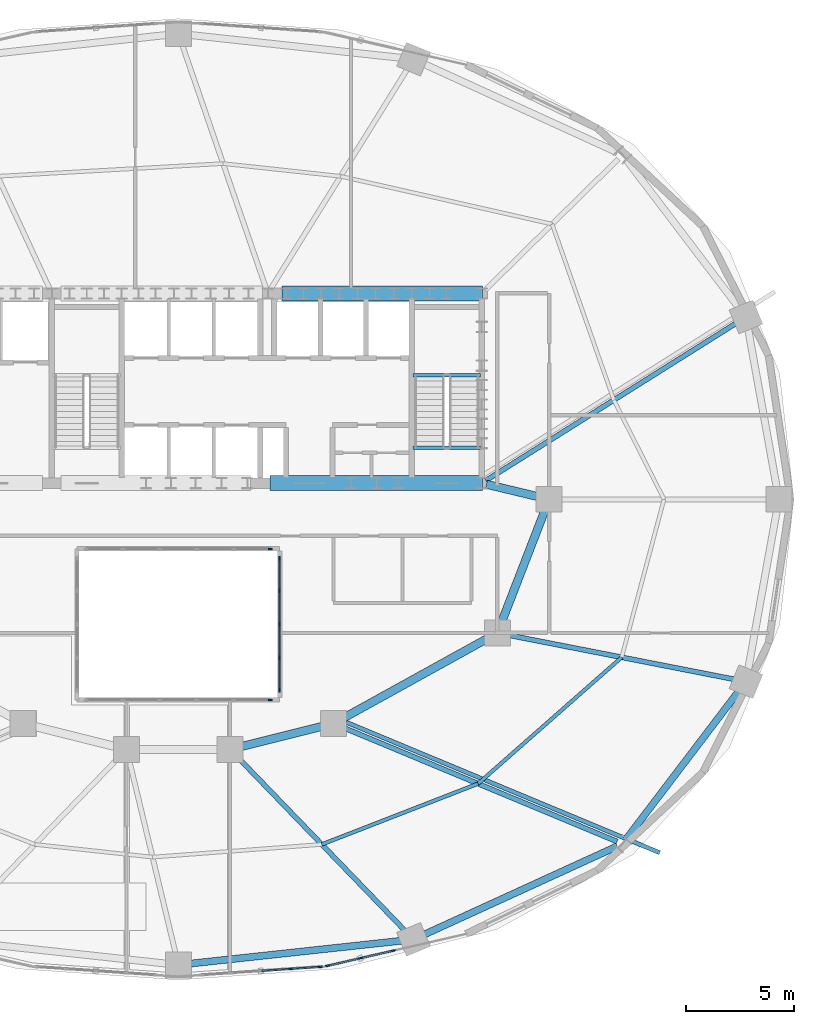
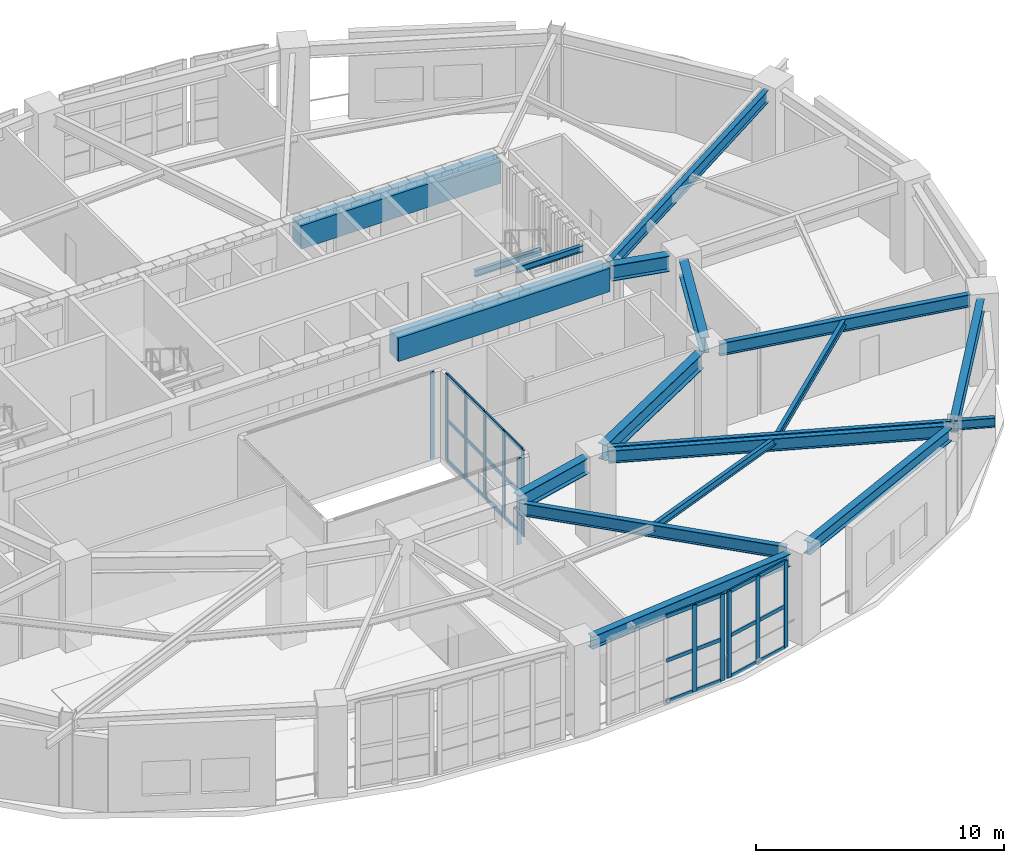
# One storey, part 5 of 15: 36 members, 18 beams, 5 elements without a shape of their own.
"""IFC4 building model written with IfcOpenShell, lengths in metres."""

from ifc_helpers import new_model, si_unit, direction, frame, origin, origin_2d, place, context, subcontext, project, spatial, rectangle, i_section, extrude, material, material_profile, profile_set, type_object, element, aggregate, save


model = new_model("IFC4")

# Units and contexts
model_context = context("Model", 3, precision=1e-05, world=origin(), true_north=direction((0.0, 1.0)))
body_context = subcontext(model_context, "Body", "Model", "MODEL_VIEW")
ifc_project = project(units=[si_unit("LENGTHUNIT", "METRE"), si_unit("AREAUNIT", "SQUARE_METRE"), si_unit("VOLUMEUNIT", "CUBIC_METRE"), si_unit("PLANEANGLEUNIT", "RADIAN"), si_unit("MASSUNIT", "GRAM", prefix="KILO")], contexts=[model_context])

# Site, building, storey
site_placement = place(None, origin())
site = spatial("IfcSite", under=ifc_project, at=site_placement, CompositionType="ELEMENT")
building_placement = place(site_placement, origin())
building = spatial("IfcBuilding", under=site, at=building_placement, Name="Haldorwick Loom Tower", CompositionType="ELEMENT")
storey_placement = place(building_placement, frame((0.0, 0.0, 105.949951171875)))
storey = spatial("IfcBuildingStorey", under=building, at=storey_placement, Name="L28", CompositionType="ELEMENT", Elevation=105.949951171875)

# Curtain wall, member
ifc_material_1 = material(Name="Thermally Broken Anodized Aluminium Curtain Wall Framing", Category="aluminium")
curtain_wall_type_1 = type_object("IfcCurtainWallType", Name="ARC-CW-03", PredefinedType="NOTDEFINED", material=ifc_material_1)
curtain_wall_1_placement = place(storey_placement, origin())
curtain_wall_1 = element("IfcCurtainWall", 1, at=curtain_wall_1_placement, inside=storey, type_object=curtain_wall_type_1, Name="L28 Atrium Glazed Screen S", PredefinedType="NOTDEFINED")
ifc_material_profile_1 = material_profile(ifc_material_1, rectangle(XDim=0.06591796875, YDim=0.18505859375, at=origin_2d()), Name="ALU_MUL_66X185", Category="aluminium")
ifc_profile_set_1 = profile_set([ifc_material_profile_1], Name="Thermally Broken Anodized Aluminium Curtain Wall Framing")
member_type_1 = type_object("IfcMemberType", Name="ARC-CWM-03", PredefinedType="MULLION", material=ifc_profile_set_1)
member_1_placement = place(storey_placement, frame((40.26708984375, 16.699951171875, 0.0), z_axis=(0.0, 0.0, 1.0), x_axis=(0.0, -1.0, 0.0)))
member_1 = element("IfcMember", 2, at=member_1_placement, type_object=member_type_1, Name="CW-03 mullion 1", PredefinedType="MULLION", context=body_context, shape_type="SweptSolid", body=[
    extrude(rectangle(XDim=0.06591796875, YDim=0.18505859375, at=origin_2d()), origin(), (0.0, 0.0, 1.0), 4.260009765625),
])
aggregate(curtain_wall_1, [member_1])

curtain_wall_2_placement = place(storey_placement, origin())
curtain_wall_2 = element("IfcCurtainWall", 3, at=curtain_wall_2_placement, inside=storey, type_object=curtain_wall_type_1, Name="L28 Atrium Glazed Screen N", PredefinedType="NOTDEFINED")
member_2_placement = place(storey_placement, frame((40.26708984375, 23.699951171875, 0.0), z_axis=(0.0, 0.0, 1.0), x_axis=(0.0, 1.0, 0.0)))
member_2 = element("IfcMember", 4, at=member_2_placement, type_object=member_type_1, Name="CW-03 mullion 6", PredefinedType="MULLION", context=body_context, shape_type="SweptSolid", body=[
    extrude(rectangle(XDim=0.06591796875, YDim=0.18505859375, at=origin_2d()), origin(), (0.0, 0.0, 1.0), 4.260009765625),
])
aggregate(curtain_wall_2, [member_2])

# Curtain wall, members
curtain_wall_3_placement = place(storey_placement, origin())
curtain_wall_3 = element("IfcCurtainWall", 5, at=curtain_wall_3_placement, inside=storey, type_object=curtain_wall_type_1, Name="L28 Atrium Glazed Screen E", PredefinedType="NOTDEFINED")
member_3_placement = place(storey_placement, frame((40.699951171875, 23.26708984375, 0.0), z_axis=(0.0, 0.0, 1.0), x_axis=(1.0, 0.0, 0.0)))
member_3 = element("IfcMember", 6, at=member_3_placement, type_object=member_type_1, Name="CW-03 mullion 1", PredefinedType="MULLION", context=body_context, shape_type="SweptSolid", body=[
    extrude(rectangle(XDim=0.06591796875, YDim=0.18505859375, at=origin_2d()), origin(), (0.0, 0.0, 1.0), 4.260009765625),
])
member_4_placement = place(storey_placement, frame((40.699951171875, 21.75, 0.0), z_axis=(0.0, 0.0, 1.0), x_axis=(1.0, 0.0, 0.0)))
member_4 = element("IfcMember", 7, at=member_4_placement, type_object=member_type_1, Name="CW-03 mullion 2", PredefinedType="MULLION", context=body_context, shape_type="SweptSolid", body=[
    extrude(rectangle(XDim=0.06591796875, YDim=0.18505859375, at=origin_2d()), origin(), (0.0, 0.0, 1.0), 4.260009765625),
])
member_5_placement = place(storey_placement, frame((40.699951171875, 20.199951171875, 0.0), z_axis=(0.0, 0.0, 1.0), x_axis=(1.0, 0.0, 0.0)))
member_5 = element("IfcMember", 8, at=member_5_placement, type_object=member_type_1, Name="CW-03 mullion 3", PredefinedType="MULLION", context=body_context, shape_type="SweptSolid", body=[
    extrude(rectangle(XDim=0.06591796875, YDim=0.18505859375, at=origin_2d()), origin(), (0.0, 0.0, 1.0), 4.260009765625),
])
member_6_placement = place(storey_placement, frame((40.699951171875, 18.64990234375, 0.0), z_axis=(0.0, 0.0, 1.0), x_axis=(1.0, 0.0, 0.0)))
member_6 = element("IfcMember", 9, at=member_6_placement, type_object=member_type_1, Name="CW-03 mullion 4", PredefinedType="MULLION", context=body_context, shape_type="SweptSolid", body=[
    extrude(rectangle(XDim=0.06591796875, YDim=0.18505859375, at=origin_2d()), origin(), (0.0, 0.0, 1.0), 4.260009765625),
])
member_7_placement = place(storey_placement, frame((40.699951171875, 17.133056640625, 0.0), z_axis=(0.0, 0.0, 1.0), x_axis=(1.0, 0.0, 0.0)))
member_7 = element("IfcMember", 10, at=member_7_placement, type_object=member_type_1, Name="CW-03 mullion 5", PredefinedType="MULLION", context=body_context, shape_type="SweptSolid", body=[
    extrude(rectangle(XDim=0.06591796875, YDim=0.18505859375, at=origin_2d()), origin(), (0.0, 0.0, 1.0), 4.260009765625),
])

curtain_wall_type_2 = type_object("IfcCurtainWallType", Name="ARC-CW-04", PredefinedType="NOTDEFINED", material=ifc_material_1)
curtain_wall_4_placement = place(storey_placement, origin())
curtain_wall_4 = element("IfcCurtainWall", 11, at=curtain_wall_4_placement, inside=storey, type_object=curtain_wall_type_2, Name="L28 Facade Curtain Wall CW-04 Bay 19", PredefinedType="NOTDEFINED")
ifc_material_profile_2 = material_profile(ifc_material_1, rectangle(XDim=0.072021484375, YDim=0.205078125, at=origin_2d()), Name="ALU_MUL_72X205", Category="aluminium")
ifc_profile_set_2 = profile_set([ifc_material_profile_2], Name="Thermally Broken Anodized Aluminium Curtain Wall Framing")
member_type_2 = type_object("IfcMemberType", Name="ARC-CWM-04", PredefinedType="MULLION", material=ifc_profile_set_2)
member_8_placement = place(storey_placement, frame((41.2216796875, 4.219970703125, 0.0), z_axis=(0.0, 0.0, 1.0), x_axis=(-0.068496055152, 0.997651387223, 0.0)))
member_8 = element("IfcMember", 12, at=member_8_placement, type_object=member_type_2, Name="CW-04 mullion 4", PredefinedType="MULLION", context=body_context, shape_type="SweptSolid", body=[
    extrude(rectangle(XDim=0.072021484375, YDim=0.205078125, at=origin_2d()), origin(), (0.0, 0.0, 1.0), 4.260009765625),
])
member_9_placement = place(storey_placement, frame((42.58154296875, 4.3134765625, 0.0), z_axis=(0.0, 0.0, 1.0), x_axis=(-0.068496055152, 0.997651387223, 0.0)))
member_9 = element("IfcMember", 13, at=member_9_placement, type_object=member_type_2, Name="CW-04 mullion 5", PredefinedType="MULLION", context=body_context, shape_type="SweptSolid", body=[
    extrude(rectangle(XDim=0.072021484375, YDim=0.205078125, at=origin_2d()), origin(), (0.0, 0.0, 1.0), 4.260009765625),
])

curtain_wall_5_placement = place(storey_placement, origin())
curtain_wall_5 = element("IfcCurtainWall", 14, at=curtain_wall_5_placement, inside=storey, type_object=curtain_wall_type_2, Name="L28 Facade Curtain Wall CW-04 Bay 20", PredefinedType="NOTDEFINED")
member_10_placement = place(storey_placement, frame((42.928466796875, 4.364990234375, 0.0), z_axis=(0.0, 0.0, 1.0), x_axis=(-0.22398132353, 0.974593436624, 0.0)))
member_10 = element("IfcMember", 15, at=member_10_placement, type_object=member_type_2, Name="CW-04 mullion 1", PredefinedType="MULLION", context=body_context, shape_type="SweptSolid", body=[
    extrude(rectangle(XDim=0.072021484375, YDim=0.205078125, at=origin_2d()), origin(), (0.0, 0.0, 1.0), 4.260009765625),
])
member_11_placement = place(storey_placement, frame((44.44580078125, 4.713623046875, 0.0), z_axis=(0.0, 0.0, 1.0), x_axis=(-0.22398132353, 0.974593436624, 0.0)))
member_11 = element("IfcMember", 16, at=member_11_placement, type_object=member_type_2, Name="CW-04 mullion 2", PredefinedType="MULLION", context=body_context, shape_type="SweptSolid", body=[
    extrude(rectangle(XDim=0.072021484375, YDim=0.205078125, at=origin_2d()), origin(), (0.0, 0.0, 1.0), 4.260009765625),
])
member_12_placement = place(storey_placement, frame((45.963134765625, 5.062255859375, 0.0), z_axis=(0.0, 0.0, 1.0), x_axis=(-0.22398132353, 0.974593436624, 0.0)))
member_12 = element("IfcMember", 17, at=member_12_placement, type_object=member_type_2, Name="CW-04 mullion 3", PredefinedType="MULLION", context=body_context, shape_type="SweptSolid", body=[
    extrude(rectangle(XDim=0.072021484375, YDim=0.205078125, at=origin_2d()), origin(), (0.0, 0.0, 1.0), 4.260009765625),
])

# Member
ifc_material_profile_3 = material_profile(ifc_material_1, rectangle(XDim=0.06591796875, YDim=0.1650390625, at=origin_2d()), Name="ALU_TRN_66X165", Category="aluminium")
ifc_profile_set_3 = profile_set([ifc_material_profile_3], Name="Thermally Broken Anodized Aluminium Curtain Wall Framing")
member_type_3 = type_object("IfcMemberType", Name="ARC-CWT-03", PredefinedType="USERDEFINED", material=ifc_profile_set_3)
member_13_placement = place(storey_placement, frame((40.699951171875, 23.23388671875, 0.032958984375), z_axis=(0.0, -1.0, 0.0), x_axis=(1.0, 0.0, 0.0)))
member_13 = element("IfcMember", 18, at=member_13_placement, type_object=member_type_3, Name="CW-03 transom 1.1", ObjectType="TRANSOM", PredefinedType="USERDEFINED", context=body_context, shape_type="SweptSolid", body=[
    extrude(rectangle(XDim=0.06591796875, YDim=0.1650390625, at=origin_2d()), origin(), (0.0, 0.0, 1.0), 1.450927734375),
])

member_14_placement = place(storey_placement, frame((40.699951171875, 23.23388671875, 2.0), z_axis=(0.0, -1.0, 0.0), x_axis=(1.0, 0.0, 0.0)))
member_14 = element("IfcMember", 19, at=member_14_placement, type_object=member_type_3, Name="CW-03 transom 1.2", ObjectType="TRANSOM", PredefinedType="USERDEFINED", context=body_context, shape_type="SweptSolid", body=[
    extrude(rectangle(XDim=0.06591796875, YDim=0.1650390625, at=origin_2d()), origin(), (0.0, 0.0, 1.0), 1.450927734375),
])

member_15_placement = place(storey_placement, frame((40.699951171875, 23.23388671875, 4.22705078125), z_axis=(0.0, -1.0, 0.0), x_axis=(1.0, 0.0, 0.0)))
member_15 = element("IfcMember", 20, at=member_15_placement, type_object=member_type_3, Name="CW-03 transom 1.3", ObjectType="TRANSOM", PredefinedType="USERDEFINED", context=body_context, shape_type="SweptSolid", body=[
    extrude(rectangle(XDim=0.06591796875, YDim=0.1650390625, at=origin_2d()), origin(), (0.0, 0.0, 1.0), 1.450927734375),
])

member_16_placement = place(storey_placement, frame((40.699951171875, 21.717041015625, 0.032958984375), z_axis=(0.0, -1.0, 0.0), x_axis=(1.0, 0.0, 0.0)))
member_16 = element("IfcMember", 21, at=member_16_placement, type_object=member_type_3, Name="CW-03 transom 2.1", ObjectType="TRANSOM", PredefinedType="USERDEFINED", context=body_context, shape_type="SweptSolid", body=[
    extrude(rectangle(XDim=0.06591796875, YDim=0.1650390625, at=origin_2d()), origin(), (0.0, 0.0, 1.0), 1.484130859375),
])

member_17_placement = place(storey_placement, frame((40.699951171875, 21.717041015625, 2.0), z_axis=(0.0, -1.0, 0.0), x_axis=(1.0, 0.0, 0.0)))
member_17 = element("IfcMember", 22, at=member_17_placement, type_object=member_type_3, Name="CW-03 transom 2.2", ObjectType="TRANSOM", PredefinedType="USERDEFINED", context=body_context, shape_type="SweptSolid", body=[
    extrude(rectangle(XDim=0.06591796875, YDim=0.1650390625, at=origin_2d()), origin(), (0.0, 0.0, 1.0), 1.484130859375),
])

member_18_placement = place(storey_placement, frame((40.699951171875, 21.717041015625, 4.22705078125), z_axis=(0.0, -1.0, 0.0), x_axis=(1.0, 0.0, 0.0)))
member_18 = element("IfcMember", 23, at=member_18_placement, type_object=member_type_3, Name="CW-03 transom 2.3", ObjectType="TRANSOM", PredefinedType="USERDEFINED", context=body_context, shape_type="SweptSolid", body=[
    extrude(rectangle(XDim=0.06591796875, YDim=0.1650390625, at=origin_2d()), origin(), (0.0, 0.0, 1.0), 1.484130859375),
])

member_19_placement = place(storey_placement, frame((40.699951171875, 20.1669921875, 0.032958984375), z_axis=(0.0, -1.0, 0.0), x_axis=(1.0, 0.0, 0.0)))
member_19 = element("IfcMember", 24, at=member_19_placement, type_object=member_type_3, Name="CW-03 transom 3.1", ObjectType="TRANSOM", PredefinedType="USERDEFINED", context=body_context, shape_type="SweptSolid", body=[
    extrude(rectangle(XDim=0.06591796875, YDim=0.1650390625, at=origin_2d()), origin(), (0.0, 0.0, 1.0), 1.48388671875),
])

member_20_placement = place(storey_placement, frame((40.699951171875, 20.1669921875, 2.0), z_axis=(0.0, -1.0, 0.0), x_axis=(1.0, 0.0, 0.0)))
member_20 = element("IfcMember", 25, at=member_20_placement, type_object=member_type_3, Name="CW-03 transom 3.2", ObjectType="TRANSOM", PredefinedType="USERDEFINED", context=body_context, shape_type="SweptSolid", body=[
    extrude(rectangle(XDim=0.06591796875, YDim=0.1650390625, at=origin_2d()), origin(), (0.0, 0.0, 1.0), 1.48388671875),
])

member_21_placement = place(storey_placement, frame((40.699951171875, 20.1669921875, 4.22705078125), z_axis=(0.0, -1.0, 0.0), x_axis=(1.0, 0.0, 0.0)))
member_21 = element("IfcMember", 26, at=member_21_placement, type_object=member_type_3, Name="CW-03 transom 3.3", ObjectType="TRANSOM", PredefinedType="USERDEFINED", context=body_context, shape_type="SweptSolid", body=[
    extrude(rectangle(XDim=0.06591796875, YDim=0.1650390625, at=origin_2d()), origin(), (0.0, 0.0, 1.0), 1.48388671875),
])

member_22_placement = place(storey_placement, frame((40.699951171875, 18.616943359375, 0.032958984375), z_axis=(0.0, -1.0, 0.0), x_axis=(1.0, 0.0, 0.0)))
member_22 = element("IfcMember", 27, at=member_22_placement, type_object=member_type_3, Name="CW-03 transom 4.1", ObjectType="TRANSOM", PredefinedType="USERDEFINED", context=body_context, shape_type="SweptSolid", body=[
    extrude(rectangle(XDim=0.06591796875, YDim=0.1650390625, at=origin_2d()), origin(), (0.0, 0.0, 1.0), 1.450927734375),
])

member_23_placement = place(storey_placement, frame((40.699951171875, 18.616943359375, 2.0), z_axis=(0.0, -1.0, 0.0), x_axis=(1.0, 0.0, 0.0)))
member_23 = element("IfcMember", 28, at=member_23_placement, type_object=member_type_3, Name="CW-03 transom 4.2", ObjectType="TRANSOM", PredefinedType="USERDEFINED", context=body_context, shape_type="SweptSolid", body=[
    extrude(rectangle(XDim=0.06591796875, YDim=0.1650390625, at=origin_2d()), origin(), (0.0, 0.0, 1.0), 1.450927734375),
])

member_24_placement = place(storey_placement, frame((40.699951171875, 18.616943359375, 4.22705078125), z_axis=(0.0, -1.0, 0.0), x_axis=(1.0, 0.0, 0.0)))
member_24 = element("IfcMember", 29, at=member_24_placement, type_object=member_type_3, Name="CW-03 transom 4.3", ObjectType="TRANSOM", PredefinedType="USERDEFINED", context=body_context, shape_type="SweptSolid", body=[
    extrude(rectangle(XDim=0.06591796875, YDim=0.1650390625, at=origin_2d()), origin(), (0.0, 0.0, 1.0), 1.450927734375),
])

aggregate(curtain_wall_3, [member_3, member_4, member_5, member_6, member_7, member_13, member_14, member_15, member_16, member_17, member_18, member_19, member_20, member_21, member_22, member_23, member_24])

ifc_material_profile_4 = material_profile(ifc_material_1, rectangle(XDim=0.072021484375, YDim=0.18505859375, at=origin_2d()), Name="ALU_TRN_72X185", Category="aluminium")
ifc_profile_set_4 = profile_set([ifc_material_profile_4], Name="Thermally Broken Anodized Aluminium Curtain Wall Framing")
member_type_4 = type_object("IfcMemberType", Name="ARC-CWT-04", PredefinedType="USERDEFINED", material=ifc_profile_set_4)
member_25_placement = place(storey_placement, frame((39.86181640625, 4.126708984375, 0.0361328125), z_axis=(0.997655515919, 0.068435893771, 0.0), x_axis=(-0.068435893771, 0.997655515919, 0.0)))
member_25 = element("IfcMember", 30, at=member_25_placement, type_object=member_type_4, Name="CW-04 transom 3.1", ObjectType="TRANSOM", PredefinedType="USERDEFINED", context=body_context, shape_type="SweptSolid", body=[
    extrude(rectangle(XDim=0.072021484375, YDim=0.18505859375, at=origin_2d()), origin(), (0.0, 0.0, 1.0), 1.3271484375),
])

member_26_placement = place(storey_placement, frame((39.86181640625, 4.126708984375, 2.050048828125), z_axis=(0.997655515919, 0.068435893771, 0.0), x_axis=(-0.068435893771, 0.997655515919, 0.0)))
member_26 = element("IfcMember", 31, at=member_26_placement, type_object=member_type_4, Name="CW-04 transom 3.2", ObjectType="TRANSOM", PredefinedType="USERDEFINED", context=body_context, shape_type="SweptSolid", body=[
    extrude(rectangle(XDim=0.072021484375, YDim=0.18505859375, at=origin_2d()), origin(), (0.0, 0.0, 1.0), 1.3271484375),
])

member_27_placement = place(storey_placement, frame((39.86181640625, 4.126708984375, 4.22412109375), z_axis=(0.997655515919, 0.068435893771, 0.0), x_axis=(-0.068435893771, 0.997655515919, 0.0)))
member_27 = element("IfcMember", 32, at=member_27_placement, type_object=member_type_4, Name="CW-04 transom 3.3", ObjectType="TRANSOM", PredefinedType="USERDEFINED", context=body_context, shape_type="SweptSolid", body=[
    extrude(rectangle(XDim=0.072021484375, YDim=0.18505859375, at=origin_2d()), origin(), (0.0, 0.0, 1.0), 1.3271484375),
])

member_28_placement = place(storey_placement, frame((41.257568359375, 4.22265625, 0.0361328125), z_axis=(0.997654434968, 0.068451650011, 0.0), x_axis=(-0.068451650011, 0.997654434968, 0.0)))
member_28 = element("IfcMember", 33, at=member_28_placement, type_object=member_type_4, Name="CW-04 transom 4.1", ObjectType="TRANSOM", PredefinedType="USERDEFINED", context=body_context, shape_type="SweptSolid", body=[
    extrude(rectangle(XDim=0.072021484375, YDim=0.18505859375, at=origin_2d()), origin(), (0.0, 0.0, 1.0), 1.291015625),
])

member_29_placement = place(storey_placement, frame((41.257568359375, 4.22265625, 2.050048828125), z_axis=(0.997654434968, 0.068451650011, 0.0), x_axis=(-0.068451650011, 0.997654434968, 0.0)))
member_29 = element("IfcMember", 34, at=member_29_placement, type_object=member_type_4, Name="CW-04 transom 4.2", ObjectType="TRANSOM", PredefinedType="USERDEFINED", context=body_context, shape_type="SweptSolid", body=[
    extrude(rectangle(XDim=0.072021484375, YDim=0.18505859375, at=origin_2d()), origin(), (0.0, 0.0, 1.0), 1.291015625),
])

member_30_placement = place(storey_placement, frame((41.257568359375, 4.22265625, 4.22412109375), z_axis=(0.997654434968, 0.068451650011, 0.0), x_axis=(-0.068451650011, 0.997654434968, 0.0)))
member_30 = element("IfcMember", 35, at=member_30_placement, type_object=member_type_4, Name="CW-04 transom 4.3", ObjectType="TRANSOM", PredefinedType="USERDEFINED", context=body_context, shape_type="SweptSolid", body=[
    extrude(rectangle(XDim=0.072021484375, YDim=0.18505859375, at=origin_2d()), origin(), (0.0, 0.0, 1.0), 1.291015625),
])

aggregate(curtain_wall_4, [member_8, member_9, member_25, member_26, member_27, member_28, member_29, member_30])

member_31_placement = place(storey_placement, frame((42.963623046875, 4.373046875, 0.0361328125), z_axis=(0.974598631019, 0.223958720339, 0.0), x_axis=(-0.223958720339, 0.974598631019, 0.0)))
member_31 = element("IfcMember", 36, at=member_31_placement, type_object=member_type_4, Name="CW-04 transom 1.1", ObjectType="TRANSOM", PredefinedType="USERDEFINED", context=body_context, shape_type="SweptSolid", body=[
    extrude(rectangle(XDim=0.072021484375, YDim=0.18505859375, at=origin_2d()), origin(), (0.0, 0.0, 1.0), 1.484619140625),
])

member_32_placement = place(storey_placement, frame((42.963623046875, 4.373046875, 2.050048828125), z_axis=(0.974598631019, 0.223958720339, 0.0), x_axis=(-0.223958720339, 0.974598631019, 0.0)))
member_32 = element("IfcMember", 37, at=member_32_placement, type_object=member_type_4, Name="CW-04 transom 1.2", ObjectType="TRANSOM", PredefinedType="USERDEFINED", context=body_context, shape_type="SweptSolid", body=[
    extrude(rectangle(XDim=0.072021484375, YDim=0.18505859375, at=origin_2d()), origin(), (0.0, 0.0, 1.0), 1.484619140625),
])

member_33_placement = place(storey_placement, frame((42.963623046875, 4.373046875, 4.22412109375), z_axis=(0.974598631019, 0.223958720339, 0.0), x_axis=(-0.223958720339, 0.974598631019, 0.0)))
member_33 = element("IfcMember", 38, at=member_33_placement, type_object=member_type_4, Name="CW-04 transom 1.3", ObjectType="TRANSOM", PredefinedType="USERDEFINED", context=body_context, shape_type="SweptSolid", body=[
    extrude(rectangle(XDim=0.072021484375, YDim=0.18505859375, at=origin_2d()), origin(), (0.0, 0.0, 1.0), 1.484619140625),
])

member_34_placement = place(storey_placement, frame((44.48095703125, 4.7216796875, 0.0361328125), z_axis=(0.974598631019, 0.223958720339, 0.0), x_axis=(-0.223958720339, 0.974598631019, 0.0)))
member_34 = element("IfcMember", 39, at=member_34_placement, type_object=member_type_4, Name="CW-04 transom 2.1", ObjectType="TRANSOM", PredefinedType="USERDEFINED", context=body_context, shape_type="SweptSolid", body=[
    extrude(rectangle(XDim=0.072021484375, YDim=0.18505859375, at=origin_2d()), origin(), (0.0, 0.0, 1.0), 1.484619140625),
])

member_35_placement = place(storey_placement, frame((44.48095703125, 4.7216796875, 2.050048828125), z_axis=(0.974598631019, 0.223958720339, 0.0), x_axis=(-0.223958720339, 0.974598631019, 0.0)))
member_35 = element("IfcMember", 40, at=member_35_placement, type_object=member_type_4, Name="CW-04 transom 2.2", ObjectType="TRANSOM", PredefinedType="USERDEFINED", context=body_context, shape_type="SweptSolid", body=[
    extrude(rectangle(XDim=0.072021484375, YDim=0.18505859375, at=origin_2d()), origin(), (0.0, 0.0, 1.0), 1.484619140625),
])

member_36_placement = place(storey_placement, frame((44.48095703125, 4.7216796875, 4.22412109375), z_axis=(0.974598631019, 0.223958720339, 0.0), x_axis=(-0.223958720339, 0.974598631019, 0.0)))
member_36 = element("IfcMember", 41, at=member_36_placement, type_object=member_type_4, Name="CW-04 transom 2.3", ObjectType="TRANSOM", PredefinedType="USERDEFINED", context=body_context, shape_type="SweptSolid", body=[
    extrude(rectangle(XDim=0.072021484375, YDim=0.18505859375, at=origin_2d()), origin(), (0.0, 0.0, 1.0), 1.484619140625),
])

aggregate(curtain_wall_5, [member_10, member_11, member_12, member_31, member_32, member_33, member_34, member_35, member_36])

# Beams
ifc_material_2 = material(Name="Steel CSA G40.21 350W", Category="steel")
ifc_material_profile_5 = material_profile(ifc_material_2, i_section(OverallWidth=0.193115234375, OverallDepth=0.466064453125, WebThickness=0.011474609375, FlangeThickness=0.01904296875, at=origin_2d()), Name="W460X97", Category="steel")
ifc_profile_set_5 = profile_set([ifc_material_profile_5], Name="Steel CSA G40.21 350W")
beam_type_1 = type_object("IfcBeamType", Name="STR-BM-BAL460", PredefinedType="BEAM", material=ifc_profile_set_5)
beam_1_placement = place(storey_placement, frame((43.78759765625, 15.65869140625, 4.027099609375), z_axis=(0.923187850755, -0.384349049976, 0.0), x_axis=(0.384349049976, 0.923187850755, 0.0)))
element("IfcBeam", 42, at=beam_1_placement, inside=storey, type_object=beam_type_1, Name="L28 Continuous Back-Spanned Balcony Beam 1", PredefinedType="BEAM", context=body_context, shape_type="SweptSolid", body=[
    extrude(i_section(OverallWidth=0.193115234375, OverallDepth=0.466064453125, WebThickness=0.011474609375, FlangeThickness=0.01904296875, at=origin_2d()), origin(), (0.0, 0.0, 1.0), 15.75244140625),
])
ifc_material_3 = material(Name="Concrete C60 (60 MPa)", Category="concrete")
ifc_material_profile_6 = material_profile(ifc_material_3, rectangle(XDim=0.699951171875, YDim=1.14990234375, at=origin_2d()), Name="RC700X1150", Category="concrete")
ifc_profile_set_6 = profile_set([ifc_material_profile_6], Name="Concrete C60 (60 MPa)")
beam_type_2 = type_object("IfcBeamType", Name="STR-BM-CB1150", PredefinedType="LINTEL", material=ifc_profile_set_6)
beam_2_placement = place(storey_placement, frame((40.800048828125, 35.550048828125, 3.68505859375), z_axis=(1.0, 0.0, 0.0), x_axis=(0.0, 1.0, 0.0)))
element("IfcBeam", 43, at=beam_2_placement, inside=storey, type_object=beam_type_2, Name="L28 Core Coupling Beam CB-N3", PredefinedType="LINTEL", context=body_context, shape_type="SweptSolid", body=[
    extrude(rectangle(XDim=0.699951171875, YDim=1.14990234375, at=origin_2d()), origin(), (0.0, 0.0, 1.0), 9.300048828125),
])
beam_3_placement = place(storey_placement, frame((40.25, 26.75, 3.68505859375), z_axis=(1.0, 0.0, 0.0), x_axis=(0.0, 1.0, 0.0)))
element("IfcBeam", 44, at=beam_3_placement, inside=storey, type_object=beam_type_2, Name="L28 Core Coupling Beam CB-S3", PredefinedType="LINTEL", context=body_context, shape_type="SweptSolid", body=[
    extrude(rectangle(XDim=0.699951171875, YDim=1.14990234375, at=origin_2d()), origin(), (0.0, 0.0, 1.0), 9.85009765625),
])
ifc_material_profile_7 = material_profile(ifc_material_2, i_section(OverallWidth=0.172119140625, OverallDepth=0.35791015625, WebThickness=0.0078125, FlangeThickness=0.01318359375, at=origin_2d()), Name="W360X57", Category="steel")
ifc_profile_set_7 = profile_set([ifc_material_profile_7], Name="Steel CSA G40.21 350W")
beam_type_3 = type_object("IfcBeamType", Name="STR-BM-J360", PredefinedType="JOIST", material=ifc_profile_set_7)
beam_4_placement = place(storey_placement, frame((42.6533203125, 9.9912109375, 4.0810546875), z_axis=(0.932072983051, 0.362270553959, 0.0), x_axis=(-0.362270553959, 0.932072983051, 0.0)))
element("IfcBeam", 45, at=beam_4_placement, inside=storey, type_object=beam_type_3, Name="L28 Mid-Bay Secondary Joist 14", PredefinedType="JOIST", context=body_context, shape_type="SweptSolid", body=[
    extrude(i_section(OverallWidth=0.172119140625, OverallDepth=0.35791015625, WebThickness=0.0078125, FlangeThickness=0.01318359375, at=origin_2d()), origin(), (0.0, 0.0, 1.0), 7.7783203125),
])
beam_5_placement = place(storey_placement, frame((49.9033203125, 12.80908203125, 4.0810546875), z_axis=(0.750721157729, 0.660619212057, 0.0), x_axis=(-0.660619212057, 0.750721157729, 0.0)))
element("IfcBeam", 46, at=beam_5_placement, inside=storey, type_object=beam_type_3, Name="L28 Mid-Bay Secondary Joist 15", PredefinedType="JOIST", context=body_context, shape_type="SweptSolid", body=[
    extrude(i_section(OverallWidth=0.172119140625, OverallDepth=0.35791015625, WebThickness=0.0078125, FlangeThickness=0.01318359375, at=origin_2d()), origin(), (0.0, 0.0, 1.0), 8.8740234375),
])
ifc_material_profile_8 = material_profile(ifc_material_2, i_section(OverallWidth=0.324951171875, OverallDepth=0.615966796875, WebThickness=0.013916015625, FlangeThickness=0.021484375, at=origin_2d()), Name="W610X174", Category="steel")
ifc_profile_set_8 = profile_set([ifc_material_profile_8], Name="Steel CSA G40.21 350W")
beam_type_4 = type_object("IfcBeamType", Name="STR-BM-SP610", PredefinedType="SPANDREL", material=ifc_profile_set_8)
beam_6_placement = place(storey_placement, frame((36.51708984375, 4.45751953125, 3.9521484375), z_axis=(0.994190135627, 0.107638163409, 0.0), x_axis=(-0.107638163409, 0.994190135627, 0.0)))
element("IfcBeam", 47, at=beam_6_placement, inside=storey, type_object=beam_type_4, Name="L28 Perimeter Spandrel 13", PredefinedType="SPANDREL", context=body_context, shape_type="SweptSolid", body=[
    extrude(i_section(OverallWidth=0.324951171875, OverallDepth=0.615966796875, WebThickness=0.013916015625, FlangeThickness=0.021484375, at=origin_2d()), origin(), (0.0, 0.0, 1.0), 9.929931640625),
])
beam_7_placement = place(storey_placement, frame((47.37939453125, 5.798583984375, 3.9521484375), z_axis=(0.909423969306, 0.415870225011, 0.0), x_axis=(-0.415870225011, 0.909423969306, 0.0)))
element("IfcBeam", 48, at=beam_7_placement, inside=storey, type_object=beam_type_4, Name="L28 Perimeter Spandrel 14", PredefinedType="SPANDREL", context=body_context, shape_type="SweptSolid", body=[
    extrude(i_section(OverallWidth=0.324951171875, OverallDepth=0.615966796875, WebThickness=0.013916015625, FlangeThickness=0.021484375, at=origin_2d()), origin(), (0.0, 0.0, 1.0), 9.871337890625),
])
beam_8_placement = place(storey_placement, frame((56.773193359375, 10.2373046875, 3.9521484375), z_axis=(0.605453508047, 0.795880675475, 0.0), x_axis=(-0.795880675475, 0.605453508047, 0.0)))
element("IfcBeam", 49, at=beam_8_placement, inside=storey, type_object=beam_type_4, Name="L28 Perimeter Spandrel 15", PredefinedType="SPANDREL", context=body_context, shape_type="SweptSolid", body=[
    extrude(i_section(OverallWidth=0.324951171875, OverallDepth=0.615966796875, WebThickness=0.013916015625, FlangeThickness=0.021484375, at=origin_2d()), origin(), (0.0, 0.0, 1.0), 8.6591796875),
])
ifc_material_profile_9 = material_profile(ifc_material_2, i_section(OverallWidth=0.166015625, OverallDepth=0.31298828125, WebThickness=0.006591796875, FlangeThickness=0.01123046875, at=origin_2d()), Name="W310X45", Category="steel")
ifc_profile_set_9 = profile_set([ifc_material_profile_9], Name="Steel CSA G40.21 350W")
beam_type_5 = type_object("IfcBeamType", Name="STR-BM-STRM", PredefinedType="BEAM", material=ifc_profile_set_9)
for number, where, z_axis, x_axis, name in (
    (50, (46.889892578125, 28.39990234375, 4.103515625), (1.0, 0.0, 0.0), (0.0, 1.0, 0.0), "L28 Stair ST-02 Landing Edge Trimmer"),
    (51, (46.889892578125, 31.760009765625, 1.8935546875), (1.0, 0.0, 0.0), (0.0, 1.0, 0.0), "L28 Stair ST-02 Half-Landing Trimmer 1"),
):
    element("IfcBeam", number, at=place(storey_placement, frame(where, z_axis=z_axis, x_axis=x_axis)), inside=storey, type_object=beam_type_5, Name=name, PredefinedType="BEAM", context=body_context, shape_type="SweptSolid", body=[
        extrude(i_section(OverallWidth=0.166015625, OverallDepth=0.31298828125, WebThickness=0.006591796875, FlangeThickness=0.01123046875, at=origin_2d()), origin(), (0.0, 0.0, 1.0), 3.1201171875),
    ])
ifc_material_profile_10 = material_profile(ifc_material_2, i_section(OverallWidth=0.22998046875, OverallDepth=0.616943359375, WebThickness=0.01318359375, FlangeThickness=0.022216796875, at=origin_2d()), Name="W610X140", Category="steel")
ifc_profile_set_10 = profile_set([ifc_material_profile_10], Name="Steel CSA G40.21 350W")
beam_type_6 = type_object("IfcBeamType", Name="STR-BM-W610B", PredefinedType="BEAM", material=ifc_profile_set_10)
beam_9_placement = place(storey_placement, frame((50.260498046875, 26.86962890625, 3.95166015625), z_axis=(0.846609551433, 0.532214493811, 0.0), x_axis=(-0.532214493811, 0.846609551433, 0.0)))
element("IfcBeam", 52, at=beam_9_placement, inside=storey, type_object=beam_type_6, Name="L28 Radial Floor Girder 2", PredefinedType="BEAM", context=body_context, shape_type="SweptSolid", body=[
    extrude(i_section(OverallWidth=0.22998046875, OverallDepth=0.616943359375, WebThickness=0.01318359375, FlangeThickness=0.022216796875, at=origin_2d()), origin(), (0.0, 0.0, 1.0), 13.737060546875),
])
beam_10_placement = place(storey_placement, frame((38.760986328125, 14.02587890625, 3.95166015625), z_axis=(0.694287071595, -0.719698174387, 0.0), x_axis=(0.719698174387, 0.694287071595, 0.0)))
element("IfcBeam", 53, at=beam_10_placement, inside=storey, type_object=beam_type_6, Name="L28 Radial Floor Girder 14", PredefinedType="BEAM", context=body_context, shape_type="SweptSolid", body=[
    extrude(i_section(OverallWidth=0.22998046875, OverallDepth=0.616943359375, WebThickness=0.01318359375, FlangeThickness=0.022216796875, at=origin_2d()), origin(), (0.0, 0.0, 1.0), 11.212158203125),
])
beam_11_placement = place(storey_placement, frame((43.68017578125, 15.400146484375, 3.95166015625), z_axis=(0.923183704764, -0.384359008297, 0.0), x_axis=(0.384359008297, 0.923183704764, 0.0)))
element("IfcBeam", 54, at=beam_11_placement, inside=storey, type_object=beam_type_6, Name="L28 Radial Floor Girder 15", PredefinedType="BEAM", context=body_context, shape_type="SweptSolid", body=[
    extrude(i_section(OverallWidth=0.22998046875, OverallDepth=0.616943359375, WebThickness=0.01318359375, FlangeThickness=0.022216796875, at=origin_2d()), origin(), (0.0, 0.0, 1.0), 13.72705078125),
])
beam_12_placement = place(storey_placement, frame((51.310302734375, 19.7001953125, 3.95166015625), z_axis=(0.981369581426, -0.192129499692, 0.0), x_axis=(0.192129499692, 0.981369581426, 0.0)))
element("IfcBeam", 55, at=beam_12_placement, inside=storey, type_object=beam_type_6, Name="L28 Radial Floor Girder 16", PredefinedType="BEAM", context=body_context, shape_type="SweptSolid", body=[
    extrude(i_section(OverallWidth=0.22998046875, OverallDepth=0.616943359375, WebThickness=0.01318359375, FlangeThickness=0.022216796875, at=origin_2d()), origin(), (0.0, 0.0, 1.0), 10.70947265625),
])
ifc_material_profile_11 = material_profile(ifc_material_2, i_section(OverallWidth=0.381103515625, OverallDepth=0.77294921875, WebThickness=0.0166015625, FlangeThickness=0.027587890625, at=origin_2d()), Name="W760X257", Category="steel")
ifc_profile_set_11 = profile_set([ifc_material_profile_11], Name="Steel CSA G40.21 350W")
beam_type_7 = type_object("IfcBeamType", Name="STR-BM-W760", PredefinedType="BEAM", material=ifc_profile_set_11)
beam_13_placement = place(storey_placement, frame((50.288818359375, 26.697509765625, 3.87353515625), z_axis=(0.97247055837, -0.233025777764, 0.0), x_axis=(0.233025777764, 0.97247055837, 0.0)))
element("IfcBeam", 56, at=beam_13_placement, inside=storey, type_object=beam_type_7, Name="L28 Inner Ring Girder 1", PredefinedType="BEAM", context=body_context, shape_type="SweptSolid", body=[
    extrude(i_section(OverallWidth=0.381103515625, OverallDepth=0.77294921875, WebThickness=0.0166015625, FlangeThickness=0.027587890625, at=origin_2d()), origin(), (0.0, 0.0, 1.0), 2.4736328125),
])
beam_14_placement = place(storey_placement, frame((53.01220703125, 25.51513671875, 3.87353515625), z_axis=(-0.360964792353, -0.93257944363, 0.0), x_axis=(0.93257944363, -0.360964792353, 0.0)))
element("IfcBeam", 57, at=beam_14_placement, inside=storey, type_object=beam_type_7, Name="L28 Inner Ring Girder 2", PredefinedType="BEAM", context=body_context, shape_type="SweptSolid", body=[
    extrude(i_section(OverallWidth=0.381103515625, OverallDepth=0.77294921875, WebThickness=0.0166015625, FlangeThickness=0.027587890625, at=origin_2d()), origin(), (0.0, 0.0, 1.0), 5.6083984375),
])
beam_15_placement = place(storey_placement, frame((50.344970703125, 19.548583984375, 3.87353515625), z_axis=(-0.875244382146, -0.483680960471, 0.0), x_axis=(0.483680960471, -0.875244382146, 0.0)))
element("IfcBeam", 58, at=beam_15_placement, inside=storey, type_object=beam_type_7, Name="L28 Inner Ring Girder 3", PredefinedType="BEAM", context=body_context, shape_type="SweptSolid", body=[
    extrude(i_section(OverallWidth=0.381103515625, OverallDepth=0.77294921875, WebThickness=0.0166015625, FlangeThickness=0.027587890625, at=origin_2d()), origin(), (0.0, 0.0, 1.0), 7.6435546875),
])
beam_16_placement = place(storey_placement, frame((42.695556640625, 15.473876953125, 3.87353515625), z_axis=(-0.970142500145, -0.242535625036, 0.0), x_axis=(0.242535625036, -0.970142500145, 0.0)))
element("IfcBeam", 59, at=beam_16_placement, inside=storey, type_object=beam_type_7, Name="L28 Inner Ring Girder 4", PredefinedType="BEAM", context=body_context, shape_type="SweptSolid", body=[
    extrude(i_section(OverallWidth=0.381103515625, OverallDepth=0.77294921875, WebThickness=0.0166015625, FlangeThickness=0.027587890625, at=origin_2d()), origin(), (0.0, 0.0, 1.0), 3.90771484375),
])

save(model, "model.ifc")
